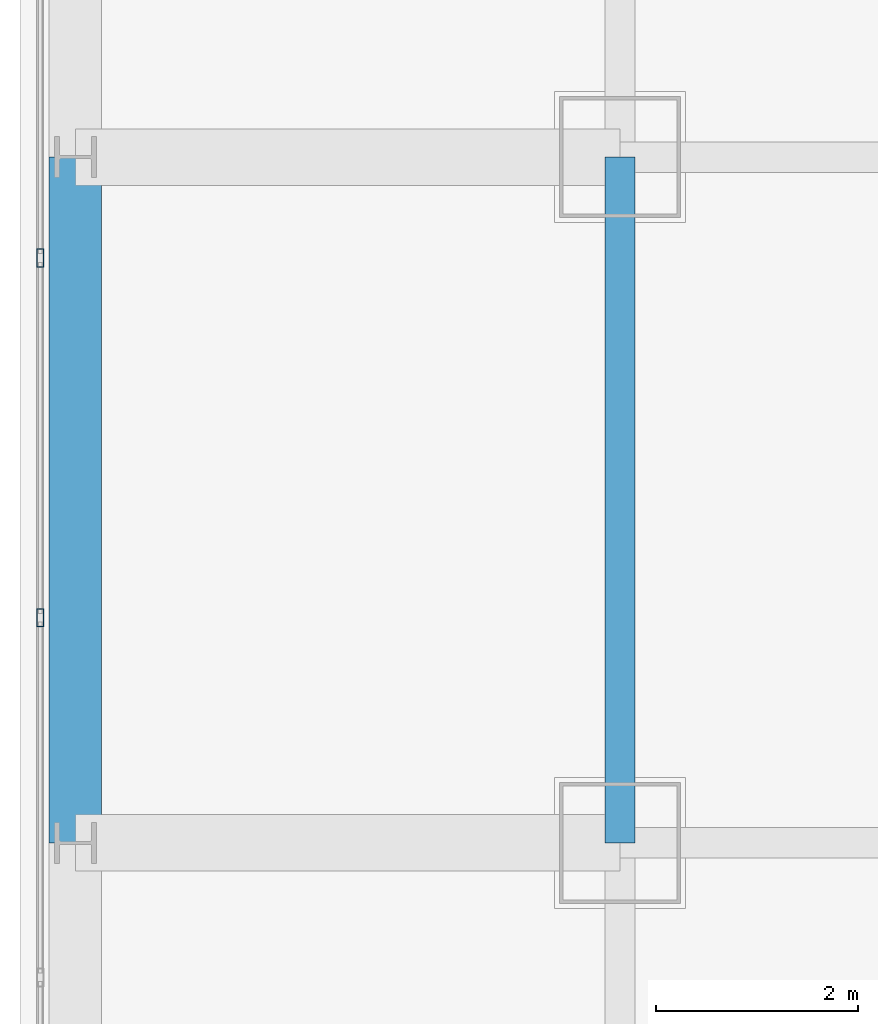
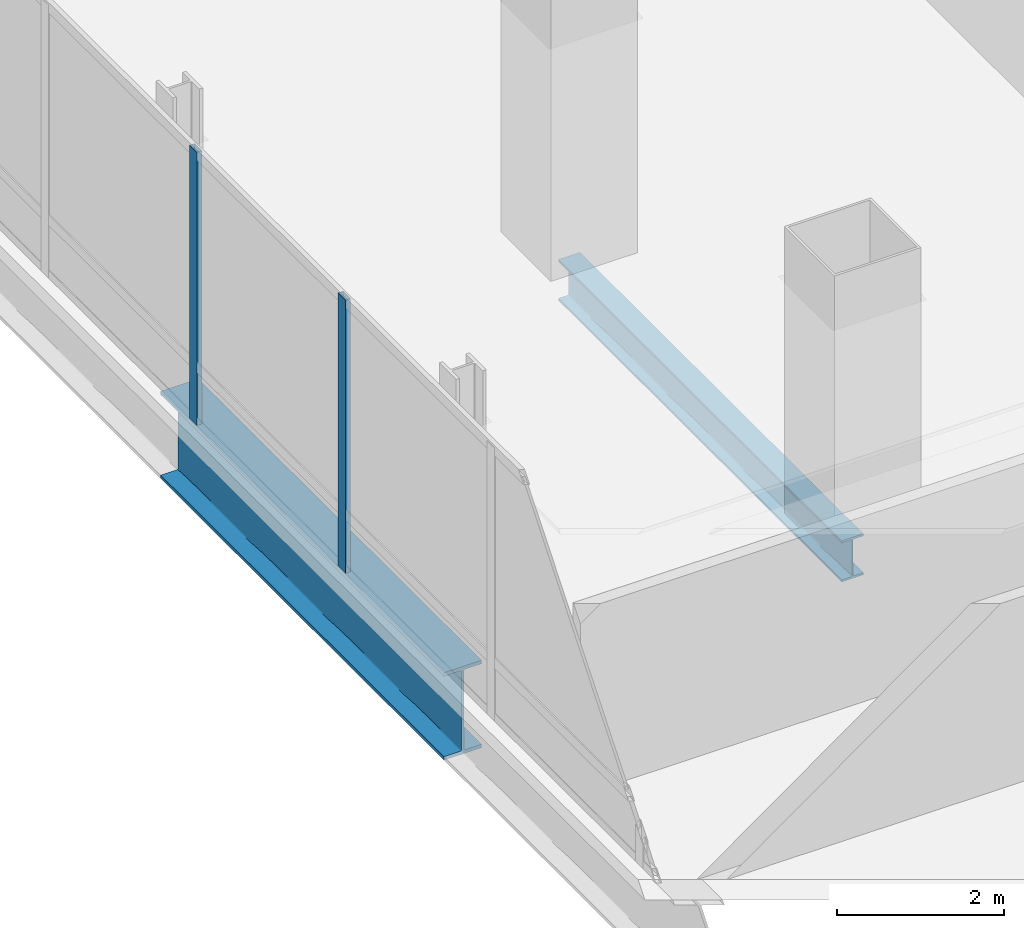
# One storey, part 11 of 41: 2 beams, 2 members, 1 element without a shape of its own.
"""IFC4 building model written with IfcOpenShell, lengths in metres."""

from ifc_helpers import new_model, si_unit, direction, frame, origin, origin_2d, place, context, subcontext, project, spatial, hollow_rectangle, i_section, extrude, material, material_profile, profile_set, type_object, element, aggregate, save


model = new_model("IFC4")

# Units and contexts
model_context = context("Model", 3, precision=1e-05, world=origin(), true_north=direction((0.0, 1.0)))
body_context = subcontext(model_context, "Body", "Model", "MODEL_VIEW")
ifc_project = project(units=[si_unit("LENGTHUNIT", "METRE"), si_unit("AREAUNIT", "SQUARE_METRE"), si_unit("VOLUMEUNIT", "CUBIC_METRE"), si_unit("PLANEANGLEUNIT", "RADIAN"), si_unit("MASSUNIT", "GRAM", prefix="KILO")], contexts=[model_context])

# Site, building, storey
site_placement = place(None, origin())
site = spatial("IfcSite", under=ifc_project, at=site_placement, CompositionType="ELEMENT")
building_placement = place(site_placement, origin())
building = spatial("IfcBuilding", under=site, at=building_placement, Name="Punatoya Terracotta Tower", CompositionType="ELEMENT")
storey_placement = place(building_placement, frame((0.0, 0.0, 288.0)))
storey = spatial("IfcBuildingStorey", under=building, at=storey_placement, Name="L68", CompositionType="ELEMENT", Elevation=288.0)

# Beams
ifc_material_1 = material(Name="Steel S355", Category="steel")
ifc_material_profile_1 = material_profile(ifc_material_1, i_section(OverallWidth=0.300048828125, OverallDepth=0.60009765625, WebThickness=0.015380859375, FlangeThickness=0.030029296875, FilletRadius=0.01806640625, at=origin_2d()))
ifc_profile_set_1 = profile_set([ifc_material_profile_1], Name="Steel S355")
beam_type_1 = type_object("IfcBeamType", Name="BM-PRI-600", PredefinedType="BEAM", material=ifc_profile_set_1)
beam_1_placement = place(storey_placement, frame((-19.10009765625, -3.39990234375, -0.5), z_axis=(0.0, 1.0, 0.0), x_axis=(-1.0, 0.0, 0.0)))
element("IfcBeam", 1, at=beam_1_placement, inside=storey, type_object=beam_type_1, Name="BM-L68-RG-W2", PredefinedType="BEAM", context=body_context, shape_type="SweptSolid", body=[
    extrude(i_section(OverallWidth=0.300048828125, OverallDepth=0.60009765625, WebThickness=0.015380859375, FlangeThickness=0.030029296875, FilletRadius=0.01806640625, at=origin_2d()), origin(), (0.0, 0.0, 1.0), 6.7998046875),
])
ifc_material_2 = material(Name="Steel S460", Category="steel")
ifc_material_profile_2 = material_profile(ifc_material_2, i_section(OverallWidth=0.52001953125, OverallDepth=1.280029296875, WebThickness=0.031982421875, FlangeThickness=0.050048828125, FilletRadius=0.01806640625, at=origin_2d()))
ifc_profile_set_2 = profile_set([ifc_material_profile_2], Name="Steel S460")
beam_type_2 = type_object("IfcBeamType", Name="BM-TG-NCK", PredefinedType="BEAM", material=ifc_profile_set_2)
beam_2_placement = place(storey_placement, frame((-24.5, -3.39990234375, -0.840087890625), z_axis=(0.0, 1.0, 0.0), x_axis=(-1.0, 0.0, 0.0)))
element("IfcBeam", 2, at=beam_2_placement, inside=storey, type_object=beam_type_2, Name="BM-L68-PER-W2", PredefinedType="BEAM", context=body_context, shape_type="SweptSolid", body=[
    extrude(i_section(OverallWidth=0.52001953125, OverallDepth=1.280029296875, WebThickness=0.031982421875, FlangeThickness=0.050048828125, FilletRadius=0.01806640625, at=origin_2d()), origin(), (0.0, 0.0, 1.0), 6.7998046875),
])

# Curtain wall, members
ifc_material_3 = material(Name="Aluminium 6063-T6 + Double Low-E Glass", Category="aluminium")
curtain_wall_type = type_object("IfcCurtainWallType", Name="CW-M3", PredefinedType="NOTDEFINED", material=ifc_material_3)
curtain_wall_placement = place(storey_placement, origin())
curtain_wall = element("IfcCurtainWall", 3, at=curtain_wall_placement, inside=storey, type_object=curtain_wall_type, Name="L68 Curtain Wall CW-L68-W13-1", PredefinedType="NOTDEFINED")
ifc_material_4 = material(Name="Aluminium 6063-T6", Category="aluminium")
ifc_material_profile_3 = material_profile(ifc_material_4, hollow_rectangle(XDim=0.070068359375, YDim=0.179931640625, WallThickness=0.00390625, at=origin_2d()))
ifc_profile_set_3 = profile_set([ifc_material_profile_3], Name="Aluminium 6063-T6")
member_type = type_object("IfcMemberType", Name="CW-MUL-M3", PredefinedType="MULLION", material=ifc_profile_set_3)
member_1_placement = place(storey_placement, frame((-24.85009765625, 2.39990234375, 0.0), z_axis=(0.0, 0.0, 1.0), x_axis=(1.0, 0.0, 0.0)))
member_1 = element("IfcMember", 4, at=member_1_placement, type_object=member_type, Name="CW-L68-W13-1 Mullion 05", PredefinedType="MULLION", context=body_context, shape_type="SweptSolid", body=[
    extrude(hollow_rectangle(XDim=0.070068359375, YDim=0.179931640625, WallThickness=0.00390625, at=origin_2d()), origin(), (0.0, 0.0, 1.0), 4.0),
])
member_2_placement = place(storey_placement, frame((-24.85009765625, -1.16748046875, 0.0), z_axis=(0.0, 0.0, 1.0), x_axis=(1.0, 0.0, 0.0)))
member_2 = element("IfcMember", 5, at=member_2_placement, type_object=member_type, Name="CW-L68-W13-1 Mullion 06", PredefinedType="MULLION", context=body_context, shape_type="SweptSolid", body=[
    extrude(hollow_rectangle(XDim=0.070068359375, YDim=0.179931640625, WallThickness=0.00390625, at=origin_2d()), origin(), (0.0, 0.0, 1.0), 4.0),
])
aggregate(curtain_wall, [member_1, member_2])

save(model, "model.ifc")
